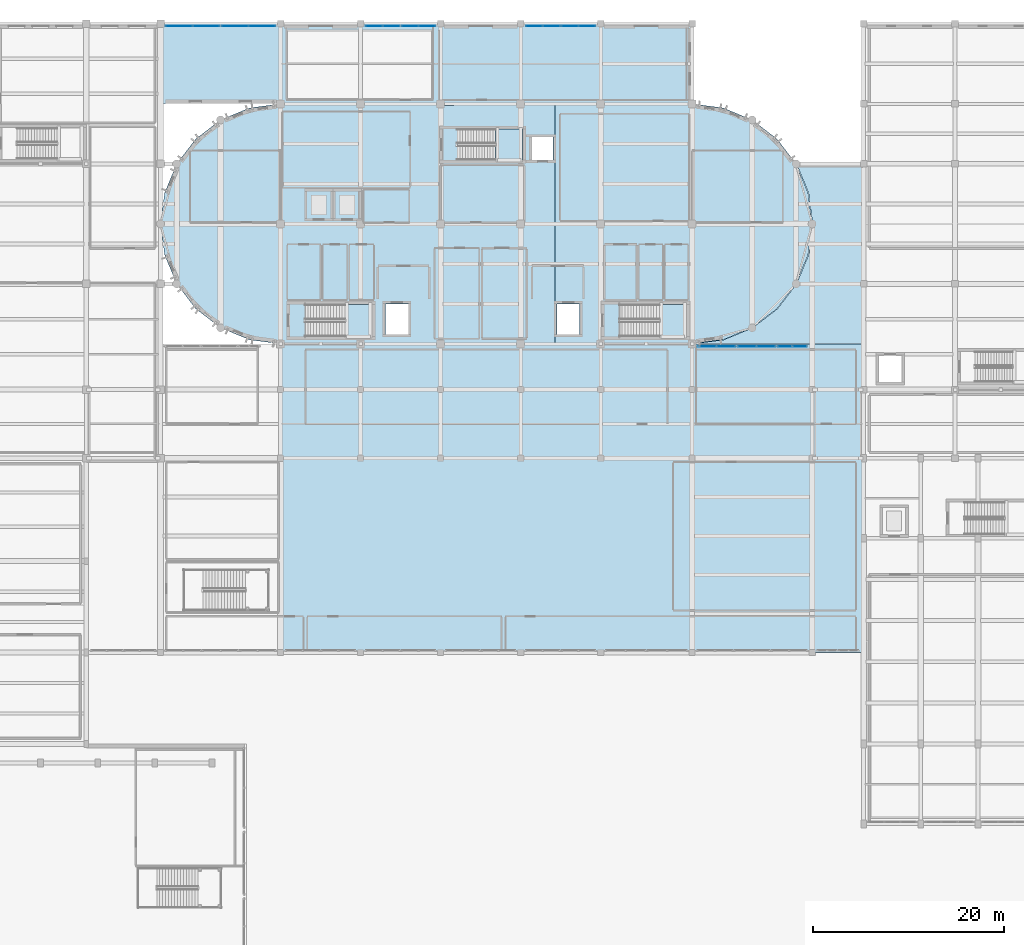
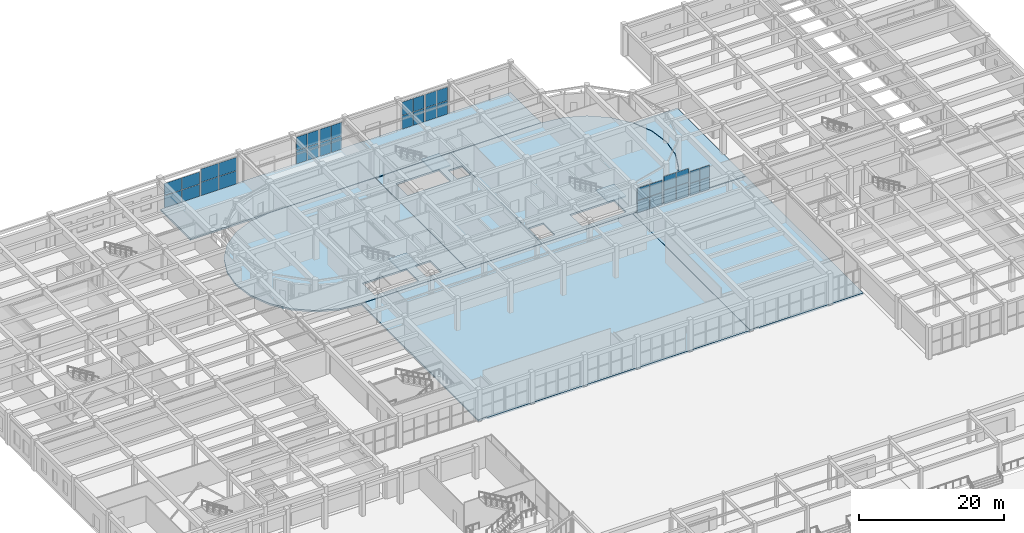
# One storey, part 63 of 98: 36 plates, 10 slabs, 12 elements without a shape of their own.
"""IFC4 building model written with IfcOpenShell, lengths in metres."""

from ifc_helpers import new_model, si_unit, direction, frame, origin, origin_2d, place, context, subcontext, project, spatial, polyline, rectangle, outline, extrude, material, layer, layer_set, type_object, element, aggregate, save


model = new_model("IFC4")

# Units and contexts
model_context = context("Model", 3, precision=1e-05, world=origin(), true_north=direction((0.0, 1.0)))
body_context = subcontext(model_context, "Body", "Model", "MODEL_VIEW")
ifc_project = project(units=[si_unit("LENGTHUNIT", "METRE"), si_unit("AREAUNIT", "SQUARE_METRE"), si_unit("VOLUMEUNIT", "CUBIC_METRE"), si_unit("PLANEANGLEUNIT", "RADIAN"), si_unit("MASSUNIT", "GRAM", prefix="KILO")], contexts=[model_context])

# Site, building, storey
site_placement = place(None, origin())
site = spatial("IfcSite", under=ifc_project, at=site_placement, CompositionType="ELEMENT")
building_placement = place(site_placement, origin())
building = spatial("IfcBuilding", under=site, at=building_placement, Name="Tarnavel Promenade Courthouse", CompositionType="ELEMENT")
storey_placement = place(building_placement, origin())
storey = spatial("IfcBuildingStorey", under=building, at=storey_placement, Name="L01", CompositionType="ELEMENT", Elevation=0.0)

# Slabs
ifc_material_1 = material(Name="Concrete C35/45", Category="concrete")
ifc_layer_1 = layer(ifc_material_1, 0.280029296875)
ifc_layer_set_1 = layer_set([ifc_layer_1], Name="Concrete C35/45")
slab_type_1 = type_object("IfcSlabType", Name="Concrete C35/45 SLB-L01-280 (280 mm)", PredefinedType="FLOOR", material=ifc_layer_set_1)
slab_1_placement = place(storey_placement, frame((0.0, 0.0, -0.280029296875)))
element("IfcSlab", 1, at=slab_1_placement, inside=storey, type_object=slab_type_1, Name="L01 Stacked Courts West Drum Floor Slab", PredefinedType="FLOOR", context=body_context, shape_type="SweptSolid", body=[
    extrude(outline(polyline([(75.580078125, 79.219970703125), (75.580078125, 104.3798828125), (58.800048828125, 104.39990234375), (55.538818359375, 103.970703125), (52.5, 102.7119140625), (49.890380859375, 100.70947265625), (47.88818359375, 98.10009765625), (46.62939453125, 95.06103515625), (46.199951171875, 91.800048828125), (46.62939453125, 88.538818359375), (47.88818359375, 85.5), (49.890380859375, 82.890380859375), (52.5, 80.88818359375), (55.538818359375, 79.62939453125), (58.800048828125, 79.199951171875), (75.580078125, 79.219970703125)]), holes=[polyline([(61.405029296875, 80.0), (68.39990234375, 80.0), (68.39990234375, 83.320068359375), (61.405029296875, 83.320068359375), (61.405029296875, 80.0)]), polyline([(69.800048828125, 80.199951171875), (72.199951171875, 80.199951171875), (72.199951171875, 83.39990234375), (69.800048828125, 83.39990234375), (69.800048828125, 80.199951171875)])]), origin(), (0.0, 0.0, 1.0), 0.280029296875),
])
slab_2_placement = place(storey_placement, frame((0.0, 0.0, -0.280029296875)))
element("IfcSlab", 2, at=slab_2_placement, inside=storey, type_object=slab_type_1, Name="L01 Stacked Courts Central Floor Slab", PredefinedType="FLOOR", context=body_context, shape_type="SweptSolid", body=[
    extrude(outline(polyline([(75.6201171875, 79.219970703125), (87.580078125, 79.219970703125), (87.580078125, 104.3798828125), (77.02001953125, 104.3798828125), (77.02001953125, 104.219970703125), (75.6201171875, 104.219970703125), (75.6201171875, 79.219970703125)]), holes=[polyline([(77.364990234375, 98.5), (84.199951171875, 98.5), (84.199951171875, 101.739990234375), (77.364990234375, 101.739990234375), (77.364990234375, 98.5)]), polyline([(85.199951171875, 98.5), (87.39990234375, 98.5), (87.39990234375, 100.89990234375), (85.199951171875, 100.89990234375), (85.199951171875, 98.5)])]), origin(), (0.0, 0.0, 1.0), 0.280029296875),
])
slab_3_placement = place(storey_placement, frame((0.0, 0.0, -0.280029296875)))
element("IfcSlab", 3, at=slab_3_placement, inside=storey, type_object=slab_type_1, Name="L01 Stacked Courts East Drum Floor Slab", PredefinedType="FLOOR", context=body_context, shape_type="SweptSolid", body=[
    extrude(outline(polyline([(87.6201171875, 104.3798828125), (87.6201171875, 79.219970703125), (102.0, 79.199951171875), (105.26123046875, 79.62939453125), (108.300048828125, 80.88818359375), (110.909423828125, 82.890380859375), (112.911865234375, 85.5), (114.170654296875, 88.538818359375), (114.60009765625, 91.800048828125), (114.170654296875, 95.06103515625), (112.911865234375, 98.10009765625), (110.909423828125, 100.70947265625), (108.300048828125, 102.7119140625), (105.26123046875, 103.970703125), (102.0, 104.39990234375), (87.6201171875, 104.3798828125)]), holes=[polyline([(94.405029296875, 80.0), (101.39990234375, 80.0), (101.39990234375, 83.320068359375), (94.405029296875, 83.320068359375), (94.405029296875, 80.0)]), polyline([(87.800048828125, 80.199951171875), (90.199951171875, 80.199951171875), (90.199951171875, 83.39990234375), (87.800048828125, 83.39990234375), (87.800048828125, 80.199951171875)])]), origin(), (0.0, 0.0, 1.0), 0.280029296875),
])
slab_4_placement = place(storey_placement, frame((0.0, 0.0, -0.280029296875)))
element("IfcSlab", 4, at=slab_4_placement, inside=storey, type_object=slab_type_1, Name="L01 North Civic Entrance Foyer Slab", PredefinedType="FLOOR", context=body_context, shape_type="SweptSolid", body=[
    extrude(outline(polyline([(46.219970703125, 104.419921875), (102.0, 104.419921875), (102.0, 112.800048828125), (47.6201171875, 112.800048828125), (47.6201171875, 112.639892578125), (46.219970703125, 112.639892578125), (46.219970703125, 104.419921875)])), origin(), (0.0, 0.0, 1.0), 0.280029296875),
])
slab_5_placement = place(storey_placement, frame((0.0, 0.0, -0.280029296875)))
element("IfcSlab", 5, at=slab_5_placement, inside=storey, type_object=slab_type_1, Name="L01 East Custody Link Neck Floor Slab", PredefinedType="FLOOR", context=body_context, shape_type="SweptSolid", body=[
    extrude(outline(polyline([(102.050048828125, 79.219970703125), (119.97998046875, 79.219970703125), (119.97998046875, 98.10009765625), (112.9619140625, 98.10009765625), (114.220703125, 95.06103515625), (114.64990234375, 91.800048828125), (114.220703125, 88.538818359375), (112.9619140625, 85.5), (110.95947265625, 82.890380859375), (108.35009765625, 80.88818359375), (105.31103515625, 79.62939453125), (102.050048828125, 79.219970703125)])), origin(), (0.0, 0.0, 1.0), 0.280029296875),
])
slab_6_placement = place(storey_placement, frame((0.0, 0.0, -0.280029296875)))
element("IfcSlab", 6, at=slab_6_placement, inside=storey, type_object=slab_type_1, Name="L01 Winter-Garden East Concourse Slab", PredefinedType="FLOOR", context=body_context, shape_type="SweptSolid", body=[
    extrude(outline(polyline([(102.02001953125, 46.9599609375), (103.419921875, 46.9599609375), (103.419921875, 46.800048828125), (119.97998046875, 46.800048828125), (119.97998046875, 79.179931640625), (102.02001953125, 79.179931640625), (102.02001953125, 46.9599609375)])), origin(), (0.0, 0.0, 1.0), 0.280029296875),
])
slab_7_placement = place(storey_placement, frame((0.0, 0.0, -0.280029296875)))
element("IfcSlab", 7, at=slab_7_placement, inside=storey, type_object=slab_type_1, Name="L01 Winter-Garden Central Concourse Slab", PredefinedType="FLOOR", context=body_context, shape_type="SweptSolid", body=[
    extrude(outline(polyline([(58.820068359375, 46.9599609375), (60.219970703125, 46.9599609375), (60.219970703125, 46.800048828125), (101.97998046875, 46.800048828125), (101.97998046875, 79.179931640625), (58.820068359375, 79.179931640625), (58.820068359375, 46.9599609375)])), origin(), (0.0, 0.0, 1.0), 0.280029296875),
])

# Stair, slab
stair_type_1 = type_object("IfcStairType", Name="Concrete C35/45 Half-Turn Stair STR-02 (1560W-300G-30R)", PredefinedType="HALF_TURN_STAIR", material=ifc_material_1)
stair_1_placement = place(storey_placement, origin())
stair_1 = element("IfcStair", 8, at=stair_1_placement, inside=storey, type_object=stair_type_1, Name="L01 West Bar Firefighting Exit Stair", PredefinedType="HALF_TURN_STAIR")
ifc_layer_2 = layer(ifc_material_1, 0.205078125)
ifc_layer_set_2 = layer_set([ifc_layer_2], Name="Concrete C35/45")
slab_type_2 = type_object("IfcSlabType", Name="Concrete C35/45 Stair Landing SLB-LND-205 (205 mm)", PredefinedType="LANDING", material=ifc_layer_set_2)
slab_8_placement = place(storey_placement, frame((0.0, 0.0, 2.5)))
slab_8 = element("IfcSlab", 9, at=slab_8_placement, type_object=slab_type_2, Name="ST-01 landing 1", PredefinedType="LANDING", context=body_context, shape_type="SweptSolid", body=[
    extrude(outline(polyline([(65.56005859375, 80.0), (68.39990234375, 80.0), (68.39990234375, 83.320068359375), (65.56005859375, 83.320068359375), (65.56005859375, 80.0)])), origin(), (0.0, 0.0, 1.0), 0.199951171875),
])
aggregate(stair_1, [slab_8])

stair_2_placement = place(storey_placement, origin())
stair_2 = element("IfcStair", 10, at=stair_2_placement, inside=storey, type_object=stair_type_1, Name="L01 East Bar Firefighting Exit Stair", PredefinedType="HALF_TURN_STAIR")
slab_9_placement = place(storey_placement, frame((0.0, 0.0, 2.5)))
slab_9 = element("IfcSlab", 11, at=slab_9_placement, type_object=slab_type_2, Name="ST-02 landing 1", PredefinedType="LANDING", context=body_context, shape_type="SweptSolid", body=[
    extrude(outline(polyline([(98.56005859375, 80.0), (101.39990234375, 80.0), (101.39990234375, 83.320068359375), (98.56005859375, 83.320068359375), (98.56005859375, 80.0)])), origin(), (0.0, 0.0, 1.0), 0.199951171875),
])
aggregate(stair_2, [slab_9])

stair_type_2 = type_object("IfcStairType", Name="Concrete C35/45 Half-Turn Stair STR-05 (1520W-290G-30R)", PredefinedType="HALF_TURN_STAIR", material=ifc_material_1)
stair_3_placement = place(storey_placement, origin())
stair_3 = element("IfcStair", 12, at=stair_3_placement, inside=storey, type_object=stair_type_2, Name="L01 Central Judicial Chambers Exit Stair", PredefinedType="HALF_TURN_STAIR")
slab_10_placement = place(storey_placement, frame((0.0, 0.0, 2.5)))
slab_10 = element("IfcSlab", 13, at=slab_10_placement, type_object=slab_type_2, Name="ST-03 landing 1", PredefinedType="LANDING", context=body_context, shape_type="SweptSolid", body=[
    extrude(outline(polyline([(81.3798828125, 98.5), (84.199951171875, 98.5), (84.199951171875, 101.739990234375), (81.3798828125, 101.739990234375), (81.3798828125, 98.5)])), origin(), (0.0, 0.0, 1.0), 0.199951171875),
])
aggregate(stair_3, [slab_10])

# Curtain wall, plates
ifc_material_2 = material(Name="Thermally Broken Anodised Aluminium Curtain Wall System", Category="aluminium")
ifc_layer_3 = layer(ifc_material_2, 0.2099609375)
ifc_layer_set_3 = layer_set([ifc_layer_3], Name="Thermally Broken Anodised Aluminium Curtain Wall System")
curtain_wall_type_1 = type_object("IfcCurtainWallType", Name="Thermally Broken Aluminium Triple-Glazed Curtain Wall CW-WG-N", PredefinedType="NOTDEFINED", material=ifc_layer_set_3)
curtain_wall_1_placement = place(storey_placement, origin())
curtain_wall_1 = element("IfcCurtainWall", 14, at=curtain_wall_1_placement, inside=storey, type_object=curtain_wall_type_1, Name="L01 Winter-Garden North Curtain Wall 105", PredefinedType="NOTDEFINED")
ifc_material_3 = material(Name="Triple Low-E Argon Insulated Glazing", Category="glass")
ifc_layer_4 = layer(ifc_material_3, 0.048095703125)
ifc_layer_set_4 = layer_set([ifc_layer_4], Name="Triple Low-E Argon Insulated Glazing")
plate_type = type_object("IfcPlateType", Name="Triple Low-E Argon Insulated Glazing Unit CWP-48 (48 mm)", PredefinedType="CURTAIN_PANEL", material=ifc_layer_set_4)
plate_1_placement = place(storey_placement, frame((103.544921875, 78.949951171875, 0.06982421875), z_axis=(0.0, 0.0, 1.0), x_axis=(1.0, 0.0, 0.0)))
plate_1 = element("IfcPlate", 15, at=plate_1_placement, type_object=plate_type, Name="CW-03 panel 1.1", PredefinedType="CURTAIN_PANEL", context=body_context, shape_type="SweptSolid", body=[
    extrude(rectangle(XDim=1.929931640625, YDim=0.048095703125, at=origin_2d()), origin(), (0.0, 0.0, 1.0), 2.030029296875),
])
plate_2_placement = place(storey_placement, frame((103.544921875, 78.949951171875, 2.169921875), z_axis=(0.0, 0.0, 1.0), x_axis=(1.0, 0.0, 0.0)))
plate_2 = element("IfcPlate", 16, at=plate_2_placement, type_object=plate_type, Name="CW-03 panel 1.2", PredefinedType="CURTAIN_PANEL", context=body_context, shape_type="SweptSolid", body=[
    extrude(rectangle(XDim=1.929931640625, YDim=0.048095703125, at=origin_2d()), origin(), (0.0, 0.0, 1.0), 2.030029296875),
])
plate_3_placement = place(storey_placement, frame((105.554931640625, 78.949951171875, 0.06982421875), z_axis=(0.0, 0.0, 1.0), x_axis=(1.0, 0.0, 0.0)))
plate_3 = element("IfcPlate", 17, at=plate_3_placement, type_object=plate_type, Name="CW-03 panel 2.1", PredefinedType="CURTAIN_PANEL", context=body_context, shape_type="SweptSolid", body=[
    extrude(rectangle(XDim=1.929931640625, YDim=0.048095703125, at=origin_2d()), origin(), (0.0, 0.0, 1.0), 2.030029296875),
])
plate_4_placement = place(storey_placement, frame((105.554931640625, 78.949951171875, 2.169921875), z_axis=(0.0, 0.0, 1.0), x_axis=(1.0, 0.0, 0.0)))
plate_4 = element("IfcPlate", 18, at=plate_4_placement, type_object=plate_type, Name="CW-03 panel 2.2", PredefinedType="CURTAIN_PANEL", context=body_context, shape_type="SweptSolid", body=[
    extrude(rectangle(XDim=1.929931640625, YDim=0.048095703125, at=origin_2d()), origin(), (0.0, 0.0, 1.0), 2.030029296875),
])
aggregate(curtain_wall_1, [plate_1, plate_2, plate_3, plate_4])

curtain_wall_2_placement = place(storey_placement, origin())
curtain_wall_2 = element("IfcCurtainWall", 19, at=curtain_wall_2_placement, inside=storey, type_object=curtain_wall_type_1, Name="L01 Winter-Garden North Curtain Wall 106", PredefinedType="NOTDEFINED")
plate_5_placement = place(storey_placement, frame((107.7451171875, 78.949951171875, 0.06982421875), z_axis=(0.0, 0.0, 1.0), x_axis=(1.0, 0.0, 0.0)))
plate_5 = element("IfcPlate", 20, at=plate_5_placement, type_object=plate_type, Name="CW-03 panel 1.1", PredefinedType="CURTAIN_PANEL", context=body_context, shape_type="SweptSolid", body=[
    extrude(rectangle(XDim=1.929931640625, YDim=0.048095703125, at=origin_2d()), origin(), (0.0, 0.0, 1.0), 2.280029296875),
])
plate_6_placement = place(storey_placement, frame((107.7451171875, 78.949951171875, 2.419921875), z_axis=(0.0, 0.0, 1.0), x_axis=(1.0, 0.0, 0.0)))
plate_6 = element("IfcPlate", 21, at=plate_6_placement, type_object=plate_type, Name="CW-03 panel 1.2", PredefinedType="CURTAIN_PANEL", context=body_context, shape_type="SweptSolid", body=[
    extrude(rectangle(XDim=1.929931640625, YDim=0.048095703125, at=origin_2d()), origin(), (0.0, 0.0, 1.0), 2.280029296875),
])
plate_7_placement = place(storey_placement, frame((109.7548828125, 78.949951171875, 0.06982421875), z_axis=(0.0, 0.0, 1.0), x_axis=(1.0, 0.0, 0.0)))
plate_7 = element("IfcPlate", 22, at=plate_7_placement, type_object=plate_type, Name="CW-03 panel 2.1", PredefinedType="CURTAIN_PANEL", context=body_context, shape_type="SweptSolid", body=[
    extrude(rectangle(XDim=1.929931640625, YDim=0.048095703125, at=origin_2d()), origin(), (0.0, 0.0, 1.0), 2.280029296875),
])
plate_8_placement = place(storey_placement, frame((109.7548828125, 78.949951171875, 2.419921875), z_axis=(0.0, 0.0, 1.0), x_axis=(1.0, 0.0, 0.0)))
plate_8 = element("IfcPlate", 23, at=plate_8_placement, type_object=plate_type, Name="CW-03 panel 2.2", PredefinedType="CURTAIN_PANEL", context=body_context, shape_type="SweptSolid", body=[
    extrude(rectangle(XDim=1.929931640625, YDim=0.048095703125, at=origin_2d()), origin(), (0.0, 0.0, 1.0), 2.280029296875),
])
aggregate(curtain_wall_2, [plate_5, plate_6, plate_7, plate_8])

curtain_wall_3_placement = place(storey_placement, origin())
curtain_wall_3 = element("IfcCurtainWall", 24, at=curtain_wall_3_placement, inside=storey, type_object=curtain_wall_type_1, Name="L01 Winter-Garden North Curtain Wall 107", PredefinedType="NOTDEFINED")
plate_9_placement = place(storey_placement, frame((111.719970703125, 78.949951171875, 0.070068359375), z_axis=(0.0, 0.0, 1.0), x_axis=(1.0, 0.0, 0.0)))
plate_9 = element("IfcPlate", 25, at=plate_9_placement, type_object=plate_type, Name="CW-03 panel 1.1", PredefinedType="CURTAIN_PANEL", context=body_context, shape_type="SweptSolid", body=[
    extrude(rectangle(XDim=1.47998046875, YDim=0.048095703125, at=origin_2d()), origin(), (0.0, 0.0, 1.0), 1.97998046875),
])
plate_10_placement = place(storey_placement, frame((111.719970703125, 78.949951171875, 2.1201171875), z_axis=(0.0, 0.0, 1.0), x_axis=(1.0, 0.0, 0.0)))
plate_10 = element("IfcPlate", 26, at=plate_10_placement, type_object=plate_type, Name="CW-03 panel 1.2", PredefinedType="CURTAIN_PANEL", context=body_context, shape_type="SweptSolid", body=[
    extrude(rectangle(XDim=1.47998046875, YDim=0.048095703125, at=origin_2d()), origin(), (0.0, 0.0, 1.0), 1.97998046875),
])
plate_11_placement = place(storey_placement, frame((113.280029296875, 78.949951171875, 0.070068359375), z_axis=(0.0, 0.0, 1.0), x_axis=(1.0, 0.0, 0.0)))
plate_11 = element("IfcPlate", 27, at=plate_11_placement, type_object=plate_type, Name="CW-03 panel 2.1", PredefinedType="CURTAIN_PANEL", context=body_context, shape_type="SweptSolid", body=[
    extrude(rectangle(XDim=1.47998046875, YDim=0.048095703125, at=origin_2d()), origin(), (0.0, 0.0, 1.0), 1.97998046875),
])
plate_12_placement = place(storey_placement, frame((113.280029296875, 78.949951171875, 2.1201171875), z_axis=(0.0, 0.0, 1.0), x_axis=(1.0, 0.0, 0.0)))
plate_12 = element("IfcPlate", 28, at=plate_12_placement, type_object=plate_type, Name="CW-03 panel 2.2", PredefinedType="CURTAIN_PANEL", context=body_context, shape_type="SweptSolid", body=[
    extrude(rectangle(XDim=1.47998046875, YDim=0.048095703125, at=origin_2d()), origin(), (0.0, 0.0, 1.0), 1.97998046875),
])
aggregate(curtain_wall_3, [plate_9, plate_10, plate_11, plate_12])

ifc_layer_5 = layer(ifc_material_2, 0.199951171875)
ifc_layer_set_5 = layer_set([ifc_layer_5], Name="Thermally Broken Anodised Aluminium Curtain Wall System")
curtain_wall_type_2 = type_object("IfcCurtainWallType", Name="Thermally Broken Aluminium Triple-Glazed Curtain Wall CW-FOYER", PredefinedType="NOTDEFINED", material=ifc_layer_set_5)
curtain_wall_4_placement = place(storey_placement, origin())
curtain_wall_4 = element("IfcCurtainWall", 29, at=curtain_wall_4_placement, inside=storey, type_object=curtain_wall_type_2, Name="L01 North Foyer Curtain Wall A 120", PredefinedType="NOTDEFINED")
plate_13_placement = place(storey_placement, frame((48.14501953125, 112.580078125, 0.070068359375), z_axis=(0.0, 0.0, 1.0), x_axis=(1.0, 0.0, 0.0)))
plate_13 = element("IfcPlate", 30, at=plate_13_placement, type_object=plate_type, Name="CW-04 panel 1.1", PredefinedType="CURTAIN_PANEL", context=body_context, shape_type="SweptSolid", body=[
    extrude(rectangle(XDim=2.77001953125, YDim=0.048095703125, at=origin_2d()), origin(), (0.0, 0.0, 1.0), 2.0048828125),
])
plate_14_placement = place(storey_placement, frame((48.14501953125, 112.580078125, 2.14501953125), z_axis=(0.0, 0.0, 1.0), x_axis=(1.0, 0.0, 0.0)))
plate_14 = element("IfcPlate", 31, at=plate_14_placement, type_object=plate_type, Name="CW-04 panel 1.2", PredefinedType="CURTAIN_PANEL", context=body_context, shape_type="SweptSolid", body=[
    extrude(rectangle(XDim=2.77001953125, YDim=0.048095703125, at=origin_2d()), origin(), (0.0, 0.0, 1.0), 2.0048828125),
])
plate_15_placement = place(storey_placement, frame((50.9951171875, 112.580078125, 0.070068359375), z_axis=(0.0, 0.0, 1.0), x_axis=(1.0, 0.0, 0.0)))
plate_15 = element("IfcPlate", 32, at=plate_15_placement, type_object=plate_type, Name="CW-04 panel 2.1", PredefinedType="CURTAIN_PANEL", context=body_context, shape_type="SweptSolid", body=[
    extrude(rectangle(XDim=2.77001953125, YDim=0.048095703125, at=origin_2d()), origin(), (0.0, 0.0, 1.0), 2.0048828125),
])
plate_16_placement = place(storey_placement, frame((50.9951171875, 112.580078125, 2.14501953125), z_axis=(0.0, 0.0, 1.0), x_axis=(1.0, 0.0, 0.0)))
plate_16 = element("IfcPlate", 33, at=plate_16_placement, type_object=plate_type, Name="CW-04 panel 2.2", PredefinedType="CURTAIN_PANEL", context=body_context, shape_type="SweptSolid", body=[
    extrude(rectangle(XDim=2.77001953125, YDim=0.048095703125, at=origin_2d()), origin(), (0.0, 0.0, 1.0), 2.0048828125),
])
aggregate(curtain_wall_4, [plate_13, plate_14, plate_15, plate_16])

curtain_wall_5_placement = place(storey_placement, origin())
curtain_wall_5 = element("IfcCurtainWall", 34, at=curtain_wall_5_placement, inside=storey, type_object=curtain_wall_type_2, Name="L01 North Foyer Curtain Wall B 121", PredefinedType="NOTDEFINED")
plate_17_placement = place(storey_placement, frame((54.0048828125, 112.580078125, 0.070068359375), z_axis=(0.0, 0.0, 1.0), x_axis=(1.0, 0.0, 0.0)))
plate_17 = element("IfcPlate", 35, at=plate_17_placement, type_object=plate_type, Name="CW-04 panel 1.1", PredefinedType="CURTAIN_PANEL", context=body_context, shape_type="SweptSolid", body=[
    extrude(rectangle(XDim=2.77001953125, YDim=0.048095703125, at=origin_2d()), origin(), (0.0, 0.0, 1.0), 2.205078125),
])
plate_18_placement = place(storey_placement, frame((54.0048828125, 112.580078125, 2.344970703125), z_axis=(0.0, 0.0, 1.0), x_axis=(1.0, 0.0, 0.0)))
plate_18 = element("IfcPlate", 36, at=plate_18_placement, type_object=plate_type, Name="CW-04 panel 1.2", PredefinedType="CURTAIN_PANEL", context=body_context, shape_type="SweptSolid", body=[
    extrude(rectangle(XDim=2.77001953125, YDim=0.048095703125, at=origin_2d()), origin(), (0.0, 0.0, 1.0), 2.205078125),
])
plate_19_placement = place(storey_placement, frame((56.85498046875, 112.580078125, 0.070068359375), z_axis=(0.0, 0.0, 1.0), x_axis=(1.0, 0.0, 0.0)))
plate_19 = element("IfcPlate", 37, at=plate_19_placement, type_object=plate_type, Name="CW-04 panel 2.1", PredefinedType="CURTAIN_PANEL", context=body_context, shape_type="SweptSolid", body=[
    extrude(rectangle(XDim=2.77001953125, YDim=0.048095703125, at=origin_2d()), origin(), (0.0, 0.0, 1.0), 2.205078125),
])
plate_20_placement = place(storey_placement, frame((56.85498046875, 112.580078125, 2.344970703125), z_axis=(0.0, 0.0, 1.0), x_axis=(1.0, 0.0, 0.0)))
plate_20 = element("IfcPlate", 38, at=plate_20_placement, type_object=plate_type, Name="CW-04 panel 2.2", PredefinedType="CURTAIN_PANEL", context=body_context, shape_type="SweptSolid", body=[
    extrude(rectangle(XDim=2.77001953125, YDim=0.048095703125, at=origin_2d()), origin(), (0.0, 0.0, 1.0), 2.205078125),
])
aggregate(curtain_wall_5, [plate_17, plate_18, plate_19, plate_20])

curtain_wall_6_placement = place(storey_placement, origin())
curtain_wall_6 = element("IfcCurtainWall", 39, at=curtain_wall_6_placement, inside=storey, type_object=curtain_wall_type_2, Name="L01 North Foyer Curtain Wall A 122", PredefinedType="NOTDEFINED")
plate_21_placement = place(storey_placement, frame((68.6201171875, 112.580078125, 0.070068359375), z_axis=(0.0, 0.0, 1.0), x_axis=(1.0, 0.0, 0.0)))
plate_21 = element("IfcPlate", 40, at=plate_21_placement, type_object=plate_type, Name="CW-04 panel 1.1", PredefinedType="CURTAIN_PANEL", context=body_context, shape_type="SweptSolid", body=[
    extrude(rectangle(XDim=1.719970703125, YDim=0.048095703125, at=origin_2d()), origin(), (0.0, 0.0, 1.0), 2.22998046875),
])
plate_22_placement = place(storey_placement, frame((68.6201171875, 112.580078125, 2.3701171875), z_axis=(0.0, 0.0, 1.0), x_axis=(1.0, 0.0, 0.0)))
plate_22 = element("IfcPlate", 41, at=plate_22_placement, type_object=plate_type, Name="CW-04 panel 1.2", PredefinedType="CURTAIN_PANEL", context=body_context, shape_type="SweptSolid", body=[
    extrude(rectangle(XDim=1.719970703125, YDim=0.048095703125, at=origin_2d()), origin(), (0.0, 0.0, 1.0), 2.22998046875),
])
plate_23_placement = place(storey_placement, frame((70.419921875, 112.580078125, 0.070068359375), z_axis=(0.0, 0.0, 1.0), x_axis=(1.0, 0.0, 0.0)))
plate_23 = element("IfcPlate", 42, at=plate_23_placement, type_object=plate_type, Name="CW-04 panel 2.1", PredefinedType="CURTAIN_PANEL", context=body_context, shape_type="SweptSolid", body=[
    extrude(rectangle(XDim=1.719970703125, YDim=0.048095703125, at=origin_2d()), origin(), (0.0, 0.0, 1.0), 2.22998046875),
])
plate_24_placement = place(storey_placement, frame((70.419921875, 112.580078125, 2.3701171875), z_axis=(0.0, 0.0, 1.0), x_axis=(1.0, 0.0, 0.0)))
plate_24 = element("IfcPlate", 43, at=plate_24_placement, type_object=plate_type, Name="CW-04 panel 2.2", PredefinedType="CURTAIN_PANEL", context=body_context, shape_type="SweptSolid", body=[
    extrude(rectangle(XDim=1.719970703125, YDim=0.048095703125, at=origin_2d()), origin(), (0.0, 0.0, 1.0), 2.22998046875),
])
aggregate(curtain_wall_6, [plate_21, plate_22, plate_23, plate_24])

curtain_wall_7_placement = place(storey_placement, origin())
curtain_wall_7 = element("IfcCurtainWall", 44, at=curtain_wall_7_placement, inside=storey, type_object=curtain_wall_type_2, Name="L01 North Foyer Curtain Wall B 123", PredefinedType="NOTDEFINED")
plate_25_placement = place(storey_placement, frame((72.3798828125, 112.580078125, 0.070068359375), z_axis=(0.0, 0.0, 1.0), x_axis=(1.0, 0.0, 0.0)))
plate_25 = element("IfcPlate", 45, at=plate_25_placement, type_object=plate_type, Name="CW-04 panel 1.1", PredefinedType="CURTAIN_PANEL", context=body_context, shape_type="SweptSolid", body=[
    extrude(rectangle(XDim=1.719970703125, YDim=0.048095703125, at=origin_2d()), origin(), (0.0, 0.0, 1.0), 2.22998046875),
])
plate_26_placement = place(storey_placement, frame((72.3798828125, 112.580078125, 2.3701171875), z_axis=(0.0, 0.0, 1.0), x_axis=(1.0, 0.0, 0.0)))
plate_26 = element("IfcPlate", 46, at=plate_26_placement, type_object=plate_type, Name="CW-04 panel 1.2", PredefinedType="CURTAIN_PANEL", context=body_context, shape_type="SweptSolid", body=[
    extrude(rectangle(XDim=1.719970703125, YDim=0.048095703125, at=origin_2d()), origin(), (0.0, 0.0, 1.0), 2.22998046875),
])
plate_27_placement = place(storey_placement, frame((74.179931640625, 112.580078125, 0.070068359375), z_axis=(0.0, 0.0, 1.0), x_axis=(1.0, 0.0, 0.0)))
plate_27 = element("IfcPlate", 47, at=plate_27_placement, type_object=plate_type, Name="CW-04 panel 2.1", PredefinedType="CURTAIN_PANEL", context=body_context, shape_type="SweptSolid", body=[
    extrude(rectangle(XDim=1.719970703125, YDim=0.048095703125, at=origin_2d()), origin(), (0.0, 0.0, 1.0), 2.22998046875),
])
plate_28_placement = place(storey_placement, frame((74.179931640625, 112.580078125, 2.3701171875), z_axis=(0.0, 0.0, 1.0), x_axis=(1.0, 0.0, 0.0)))
plate_28 = element("IfcPlate", 48, at=plate_28_placement, type_object=plate_type, Name="CW-04 panel 2.2", PredefinedType="CURTAIN_PANEL", context=body_context, shape_type="SweptSolid", body=[
    extrude(rectangle(XDim=1.719970703125, YDim=0.048095703125, at=origin_2d()), origin(), (0.0, 0.0, 1.0), 2.22998046875),
])
aggregate(curtain_wall_7, [plate_25, plate_26, plate_27, plate_28])

curtain_wall_8_placement = place(storey_placement, origin())
curtain_wall_8 = element("IfcCurtainWall", 49, at=curtain_wall_8_placement, inside=storey, type_object=curtain_wall_type_2, Name="L01 North Foyer Curtain Wall A 124", PredefinedType="NOTDEFINED")
plate_29_placement = place(storey_placement, frame((85.419921875, 112.580078125, 0.070068359375), z_axis=(0.0, 0.0, 1.0), x_axis=(1.0, 0.0, 0.0)))
plate_29 = element("IfcPlate", 50, at=plate_29_placement, type_object=plate_type, Name="CW-04 panel 1.1", PredefinedType="CURTAIN_PANEL", context=body_context, shape_type="SweptSolid", body=[
    extrude(rectangle(XDim=1.719970703125, YDim=0.048095703125, at=origin_2d()), origin(), (0.0, 0.0, 1.0), 2.22998046875),
])
plate_30_placement = place(storey_placement, frame((85.419921875, 112.580078125, 2.3701171875), z_axis=(0.0, 0.0, 1.0), x_axis=(1.0, 0.0, 0.0)))
plate_30 = element("IfcPlate", 51, at=plate_30_placement, type_object=plate_type, Name="CW-04 panel 1.2", PredefinedType="CURTAIN_PANEL", context=body_context, shape_type="SweptSolid", body=[
    extrude(rectangle(XDim=1.719970703125, YDim=0.048095703125, at=origin_2d()), origin(), (0.0, 0.0, 1.0), 2.22998046875),
])
plate_31_placement = place(storey_placement, frame((87.219970703125, 112.580078125, 0.070068359375), z_axis=(0.0, 0.0, 1.0), x_axis=(1.0, 0.0, 0.0)))
plate_31 = element("IfcPlate", 52, at=plate_31_placement, type_object=plate_type, Name="CW-04 panel 2.1", PredefinedType="CURTAIN_PANEL", context=body_context, shape_type="SweptSolid", body=[
    extrude(rectangle(XDim=1.719970703125, YDim=0.048095703125, at=origin_2d()), origin(), (0.0, 0.0, 1.0), 2.22998046875),
])
plate_32_placement = place(storey_placement, frame((87.219970703125, 112.580078125, 2.3701171875), z_axis=(0.0, 0.0, 1.0), x_axis=(1.0, 0.0, 0.0)))
plate_32 = element("IfcPlate", 53, at=plate_32_placement, type_object=plate_type, Name="CW-04 panel 2.2", PredefinedType="CURTAIN_PANEL", context=body_context, shape_type="SweptSolid", body=[
    extrude(rectangle(XDim=1.719970703125, YDim=0.048095703125, at=origin_2d()), origin(), (0.0, 0.0, 1.0), 2.22998046875),
])
aggregate(curtain_wall_8, [plate_29, plate_30, plate_31, plate_32])

curtain_wall_9_placement = place(storey_placement, origin())
curtain_wall_9 = element("IfcCurtainWall", 54, at=curtain_wall_9_placement, inside=storey, type_object=curtain_wall_type_2, Name="L01 North Foyer Curtain Wall B 125", PredefinedType="NOTDEFINED")
plate_33_placement = place(storey_placement, frame((89.179931640625, 112.580078125, 0.070068359375), z_axis=(0.0, 0.0, 1.0), x_axis=(1.0, 0.0, 0.0)))
plate_33 = element("IfcPlate", 55, at=plate_33_placement, type_object=plate_type, Name="CW-04 panel 1.1", PredefinedType="CURTAIN_PANEL", context=body_context, shape_type="SweptSolid", body=[
    extrude(rectangle(XDim=1.719970703125, YDim=0.048095703125, at=origin_2d()), origin(), (0.0, 0.0, 1.0), 2.22998046875),
])
plate_34_placement = place(storey_placement, frame((89.179931640625, 112.580078125, 2.3701171875), z_axis=(0.0, 0.0, 1.0), x_axis=(1.0, 0.0, 0.0)))
plate_34 = element("IfcPlate", 56, at=plate_34_placement, type_object=plate_type, Name="CW-04 panel 1.2", PredefinedType="CURTAIN_PANEL", context=body_context, shape_type="SweptSolid", body=[
    extrude(rectangle(XDim=1.719970703125, YDim=0.048095703125, at=origin_2d()), origin(), (0.0, 0.0, 1.0), 2.22998046875),
])
plate_35_placement = place(storey_placement, frame((90.97998046875, 112.580078125, 0.070068359375), z_axis=(0.0, 0.0, 1.0), x_axis=(1.0, 0.0, 0.0)))
plate_35 = element("IfcPlate", 57, at=plate_35_placement, type_object=plate_type, Name="CW-04 panel 2.1", PredefinedType="CURTAIN_PANEL", context=body_context, shape_type="SweptSolid", body=[
    extrude(rectangle(XDim=1.719970703125, YDim=0.048095703125, at=origin_2d()), origin(), (0.0, 0.0, 1.0), 2.22998046875),
])
plate_36_placement = place(storey_placement, frame((90.97998046875, 112.580078125, 2.3701171875), z_axis=(0.0, 0.0, 1.0), x_axis=(1.0, 0.0, 0.0)))
plate_36 = element("IfcPlate", 58, at=plate_36_placement, type_object=plate_type, Name="CW-04 panel 2.2", PredefinedType="CURTAIN_PANEL", context=body_context, shape_type="SweptSolid", body=[
    extrude(rectangle(XDim=1.719970703125, YDim=0.048095703125, at=origin_2d()), origin(), (0.0, 0.0, 1.0), 2.22998046875),
])
aggregate(curtain_wall_9, [plate_33, plate_34, plate_35, plate_36])

save(model, "model.ifc")
